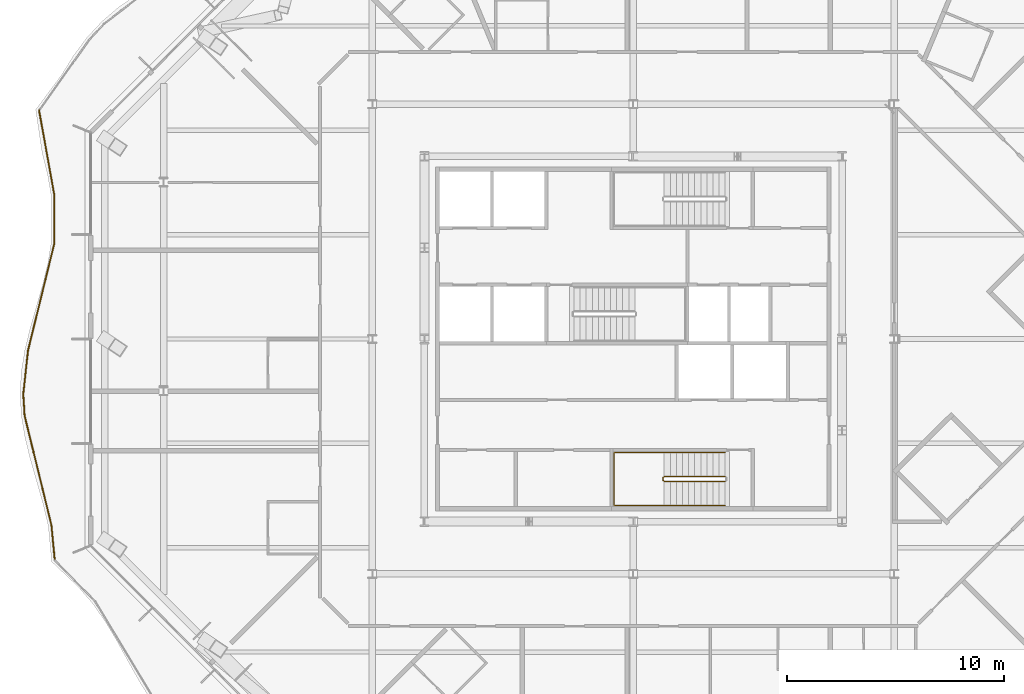
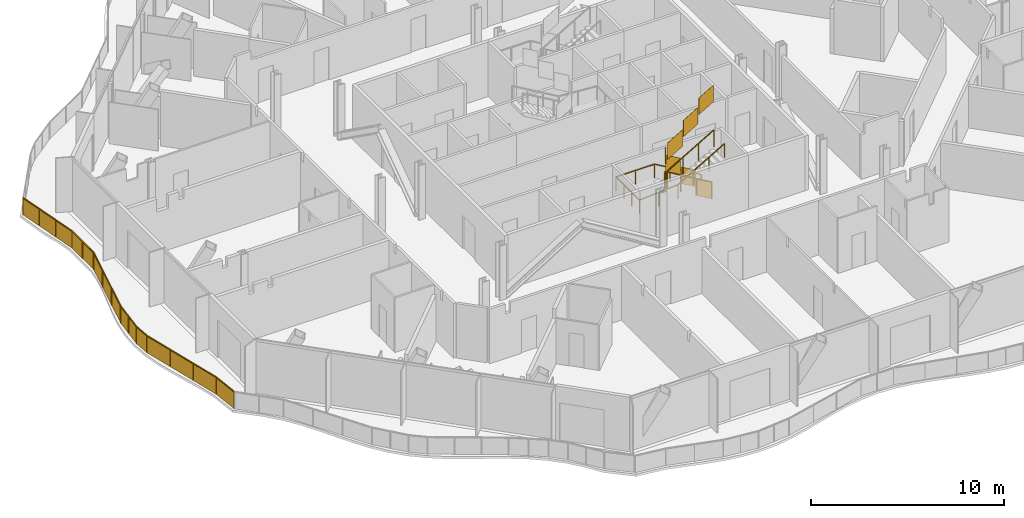
# One storey, part 15 of 19: 3 railings.
"""IFC4 building model written with IfcOpenShell, lengths in metres."""

from ifc_helpers import new_model, si_unit, direction, frame, origin, origin_2d, place, context, subcontext, project, spatial, polyline, rectangle, outline, extrude, material, type_object, element, save


model = new_model("IFC4")

# Units and contexts
model_context = context("Model", 3, precision=1e-05, world=origin(), true_north=direction((0.0, 1.0)))
body_context = subcontext(model_context, "Body", "Model", "MODEL_VIEW")
ifc_project = project(units=[si_unit("LENGTHUNIT", "METRE"), si_unit("AREAUNIT", "SQUARE_METRE"), si_unit("VOLUMEUNIT", "CUBIC_METRE"), si_unit("PLANEANGLEUNIT", "RADIAN"), si_unit("MASSUNIT", "GRAM", prefix="KILO")], contexts=[model_context])

# Site, building, storey
site_placement = place(None, origin())
site = spatial("IfcSite", under=ifc_project, at=site_placement, CompositionType="ELEMENT")
building_placement = place(site_placement, origin())
building = spatial("IfcBuilding", under=site, at=building_placement, Name="Cairn Pilgrim Tower", CompositionType="ELEMENT")
storey_placement = place(building_placement, frame((0.0, 0.0, 186.60009765625)))
storey = spatial("IfcBuildingStorey", under=building, at=storey_placement, Name="L47", CompositionType="ELEMENT", Elevation=186.60009765625)

# Railings
ifc_material_1 = material(Name="Bronze anodised aluminium rail and posts with laminated glass infill", Category="aluminium")
railing_type_1 = type_object("IfcRailingType", Name="BALCONY GUARD 1100", PredefinedType="GUARDRAIL", material=ifc_material_1)
railing_1_placement = place(storey_placement, frame((-20.122314453125, 12.909423828125, 0.0)))
element("IfcRailing", 1, at=railing_1_placement, inside=storey, type_object=railing_type_1, Name="Balcony guard BG-1", PredefinedType="GUARDRAIL", context=body_context, shape_type="SweptSolid", body=[
    extrude(rectangle(XDim=0.050048828125, YDim=0.050048828125, at=origin_2d()), frame((0.0, 0.0, 1.0751953125), z_axis=(0.177171024634, -0.984180079066, 0.0), x_axis=(0.984180079066, 0.177171024634, 0.0)), (0.0, 0.0, 1.0), 3.935546875),
    extrude(rectangle(XDim=0.050048828125, YDim=0.050048828125, at=origin_2d()), frame((0.697265625, -3.873291015625, 1.0751953125), z_axis=(0.0, -1.0, 0.0), x_axis=(1.0, 0.0, 0.0)), (0.0, 0.0, 1.0), 2.25732421875),
    extrude(rectangle(XDim=0.050048828125, YDim=0.050048828125, at=origin_2d()), frame((0.697265625, -6.130615234375, 1.0751953125), z_axis=(-0.238716465374, -0.971089310599, 0.0), x_axis=(0.971089310599, -0.238716465374, 0.0)), (0.0, 0.0, 1.0), 5.056396484375),
    extrude(rectangle(XDim=0.050048828125, YDim=0.050048828125, at=origin_2d()), frame((-0.509765625, -11.040771484375, 1.0751953125), z_axis=(-0.108205296352, -0.994128570076, 0.0), x_axis=(0.994128570076, -0.108205296352, 0.0)), (0.0, 0.0, 1.0), 2.01025390625),
    extrude(rectangle(XDim=0.050048828125, YDim=0.050048828125, at=origin_2d()), frame((-0.727294921875, -13.039306640625, 1.0751953125), z_axis=(0.0599120253, -0.998203661196, 0.0), x_axis=(0.998203661196, 0.0599120253, 0.0)), (0.0, 0.0, 1.0), 0.986083984375),
    extrude(rectangle(XDim=0.050048828125, YDim=0.050048828125, at=origin_2d()), frame((-0.668212890625, -14.023681640625, 1.0751953125), z_axis=(0.237781939428, -0.971318562204, 0.0), x_axis=(0.971318562204, 0.237781939428, 0.0)), (0.0, 0.0, 1.0), 5.199462890625),
    extrude(rectangle(XDim=0.050048828125, YDim=0.050048828125, at=origin_2d()), frame((0.568115234375, -19.073974609375, 1.0751953125), z_axis=(0.093816971007, -0.995589461551, 0.0), x_axis=(0.995589461551, 0.093816971007, 0.0)), (0.0, 0.0, 1.0), 1.55615234375),
    extrude(rectangle(XDim=0.050048828125, YDim=0.050048828125, at=origin_2d()), origin(), (0.0, 0.0, 1.0), 1.050048828125),
    extrude(rectangle(XDim=0.050048828125, YDim=0.050048828125, at=origin_2d()), frame((0.232421875, -1.291015625, 0.0)), (0.0, 0.0, 1.0), 1.050048828125),
    extrude(rectangle(XDim=0.050048828125, YDim=0.050048828125, at=origin_2d()), frame((0.46484375, -2.582275390625, 0.0)), (0.0, 0.0, 1.0), 1.050048828125),
    extrude(rectangle(XDim=0.050048828125, YDim=0.050048828125, at=origin_2d()), frame((0.697265625, -3.873291015625, 0.0)), (0.0, 0.0, 1.0), 1.050048828125),
    extrude(rectangle(XDim=0.050048828125, YDim=0.050048828125, at=origin_2d()), frame((0.697265625, -5.001953125, 0.0)), (0.0, 0.0, 1.0), 1.050048828125),
    extrude(rectangle(XDim=0.050048828125, YDim=0.050048828125, at=origin_2d()), frame((0.697265625, -6.130615234375, 0.0)), (0.0, 0.0, 1.0), 1.050048828125),
    extrude(rectangle(XDim=0.050048828125, YDim=0.050048828125, at=origin_2d()), frame((0.294921875, -7.767333984375, 0.0)), (0.0, 0.0, 1.0), 1.050048828125),
    extrude(rectangle(XDim=0.050048828125, YDim=0.050048828125, at=origin_2d()), frame((-0.107421875, -9.404052734375, 0.0)), (0.0, 0.0, 1.0), 1.050048828125),
    extrude(rectangle(XDim=0.050048828125, YDim=0.050048828125, at=origin_2d()), frame((-0.509765625, -11.040771484375, 0.0)), (0.0, 0.0, 1.0), 1.050048828125),
    extrude(rectangle(XDim=0.050048828125, YDim=0.050048828125, at=origin_2d()), frame((-0.61865234375, -12.0400390625, 0.0)), (0.0, 0.0, 1.0), 1.050048828125),
    extrude(rectangle(XDim=0.050048828125, YDim=0.050048828125, at=origin_2d()), frame((-0.727294921875, -13.039306640625, 0.0)), (0.0, 0.0, 1.0), 1.050048828125),
    extrude(rectangle(XDim=0.050048828125, YDim=0.050048828125, at=origin_2d()), frame((-0.668212890625, -14.023681640625, 0.0)), (0.0, 0.0, 1.0), 1.050048828125),
    extrude(rectangle(XDim=0.050048828125, YDim=0.050048828125, at=origin_2d()), frame((-0.256103515625, -15.70703125, 0.0)), (0.0, 0.0, 1.0), 1.050048828125),
    extrude(rectangle(XDim=0.050048828125, YDim=0.050048828125, at=origin_2d()), frame((0.156005859375, -17.390625, 0.0)), (0.0, 0.0, 1.0), 1.050048828125),
    extrude(rectangle(XDim=0.050048828125, YDim=0.050048828125, at=origin_2d()), frame((0.568115234375, -19.073974609375, 0.0)), (0.0, 0.0, 1.0), 1.050048828125),
    extrude(rectangle(XDim=0.050048828125, YDim=0.050048828125, at=origin_2d()), frame((0.714111328125, -20.623291015625, 0.0)), (0.0, 0.0, 1.0), 1.050048828125),
    extrude(outline(polyline([(0.02490234375, 0.0), (1.286865234375, 0.0), (1.286865234375, 1.050048828125), (0.02490234375, 1.050048828125), (0.02490234375, 0.0)])), frame((0.005859375, 0.0009765625, 0.0), z_axis=(-0.984180079066, -0.177171024634, 0.0), x_axis=(0.177171024634, -0.984180079066, 0.0)), (0.0, 0.0, 1.0), 0.011962890625),
    extrude(outline(polyline([(0.02490234375, 0.0), (1.286865234375, 0.0), (1.286865234375, 1.050048828125), (0.02490234375, 1.050048828125), (0.02490234375, 0.0)])), frame((0.23828125, -1.2900390625, 0.0), z_axis=(-0.984180079066, -0.177171024634, 0.0), x_axis=(0.177171024634, -0.984180079066, 0.0)), (0.0, 0.0, 1.0), 0.011962890625),
    extrude(outline(polyline([(0.02490234375, 0.0), (1.286865234375, 0.0), (1.286865234375, 1.050048828125), (0.02490234375, 1.050048828125), (0.02490234375, 0.0)])), frame((0.470703125, -2.5810546875, 0.0), z_axis=(-0.984180079066, -0.177171024634, 0.0), x_axis=(0.177171024634, -0.984180079066, 0.0)), (0.0, 0.0, 1.0), 0.011962890625),
    extrude(outline(polyline([(0.02490234375, 0.0), (1.103515625, 0.0), (1.103515625, 1.050048828125), (0.02490234375, 1.050048828125), (0.02490234375, 0.0)])), frame((0.703125, -3.873291015625, 0.0), z_axis=(-1.0, 0.0, 0.0), x_axis=(0.0, -1.0, 0.0)), (0.0, 0.0, 1.0), 0.011962890625),
    extrude(outline(polyline([(0.02490234375, 0.0), (1.103515625, 0.0), (1.103515625, 1.050048828125), (0.02490234375, 1.050048828125), (0.02490234375, 0.0)])), frame((0.703125, -5.001953125, 0.0), z_axis=(-1.0, 0.0, 0.0), x_axis=(0.0, -1.0, 0.0)), (0.0, 0.0, 1.0), 0.011962890625),
    extrude(outline(polyline([(0.02490234375, 0.0), (1.660400390625, 0.0), (1.660400390625, 1.050048828125), (0.02490234375, 1.050048828125), (0.02490234375, 0.0)])), frame((0.703125, -6.132080078125, 0.0), z_axis=(-0.971089310599, 0.238716465374, 0.0), x_axis=(-0.238716465374, -0.971089310599, 0.0)), (0.0, 0.0, 1.0), 0.011962890625),
    extrude(outline(polyline([(0.02490234375, 0.0), (1.660400390625, 0.0), (1.660400390625, 1.050048828125), (0.02490234375, 1.050048828125), (0.02490234375, 0.0)])), frame((0.30078125, -7.768798828125, 0.0), z_axis=(-0.971089310599, 0.238716465374, 0.0), x_axis=(-0.238716465374, -0.971089310599, 0.0)), (0.0, 0.0, 1.0), 0.011962890625),
    extrude(outline(polyline([(0.02490234375, 0.0), (1.660400390625, 0.0), (1.660400390625, 1.050048828125), (0.02490234375, 1.050048828125), (0.02490234375, 0.0)])), frame((-0.1015625, -9.405517578125, 0.0), z_axis=(-0.971089310599, 0.238716465374, 0.0), x_axis=(-0.238716465374, -0.971089310599, 0.0)), (0.0, 0.0, 1.0), 0.011962890625),
    extrude(outline(polyline([(0.02490234375, 0.0), (0.980224609375, 0.0), (0.980224609375, 1.050048828125), (0.02490234375, 1.050048828125), (0.02490234375, 0.0)])), frame((-0.50390625, -11.04150390625, 0.0), z_axis=(-0.994128570076, 0.108205296352, 0.0), x_axis=(-0.108205296352, -0.994128570076, 0.0)), (0.0, 0.0, 1.0), 0.011962890625),
    extrude(outline(polyline([(0.02490234375, 0.0), (0.980224609375, 0.0), (0.980224609375, 1.050048828125), (0.02490234375, 1.050048828125), (0.02490234375, 0.0)])), frame((-0.612548828125, -12.040771484375, 0.0), z_axis=(-0.994128570076, 0.108205296352, 0.0), x_axis=(-0.108205296352, -0.994128570076, 0.0)), (0.0, 0.0, 1.0), 0.011962890625),
    extrude(outline(polyline([(0.02490234375, 0.0), (0.961181640625, 0.0), (0.961181640625, 1.050048828125), (0.02490234375, 1.050048828125), (0.02490234375, 0.0)])), frame((-0.721435546875, -13.0390625, 0.0), z_axis=(-0.998203661196, -0.0599120253, 0.0), x_axis=(0.0599120253, -0.998203661196, 0.0)), (0.0, 0.0, 1.0), 0.011962890625),
    extrude(outline(polyline([(0.02490234375, 0.0), (1.7080078125, 0.0), (1.7080078125, 1.050048828125), (0.02490234375, 1.050048828125), (0.02490234375, 0.0)])), frame((-0.662353515625, -14.022216796875, 0.0), z_axis=(-0.971318562204, -0.237781939428, 0.0), x_axis=(0.237781939428, -0.971318562204, 0.0)), (0.0, 0.0, 1.0), 0.011962890625),
    extrude(outline(polyline([(0.02490234375, 0.0), (1.7080078125, 0.0), (1.7080078125, 1.050048828125), (0.02490234375, 1.050048828125), (0.02490234375, 0.0)])), frame((-0.250244140625, -15.705810546875, 0.0), z_axis=(-0.971318562204, -0.237781939428, 0.0), x_axis=(0.237781939428, -0.971318562204, 0.0)), (0.0, 0.0, 1.0), 0.011962890625),
    extrude(outline(polyline([(0.02490234375, 0.0), (1.7080078125, 0.0), (1.7080078125, 1.050048828125), (0.02490234375, 1.050048828125), (0.02490234375, 0.0)])), frame((0.161865234375, -17.38916015625, 0.0), z_axis=(-0.971318562204, -0.237781939428, 0.0), x_axis=(0.237781939428, -0.971318562204, 0.0)), (0.0, 0.0, 1.0), 0.011962890625),
    extrude(outline(polyline([(0.02490234375, 0.0), (1.53125, 0.0), (1.53125, 1.050048828125), (0.02490234375, 1.050048828125), (0.02490234375, 0.0)])), frame((0.573974609375, -19.073486328125, 0.0), z_axis=(-0.995589461551, -0.093816971007, 0.0), x_axis=(0.093816971007, -0.995589461551, 0.0)), (0.0, 0.0, 1.0), 0.011962890625),
])
ifc_material_2 = material(Name="Painted steel", Category="steel")
railing_type_2 = type_object("IfcRailingType", Name="STAIR GUARD 1100", PredefinedType="GUARDRAIL", material=ifc_material_2)
railing_2_placement = place(storey_placement, frame((11.425048828125, -3.925048828125, 0.16357421875)))
element("IfcRailing", 2, at=railing_2_placement, inside=storey, type_object=railing_type_2, Name="L47 ST-A stair guard 1", PredefinedType="GUARDRAIL", context=body_context, shape_type="SweptSolid", body=[
    extrude(rectangle(XDim=0.048095703125, YDim=0.048095703125, at=origin_2d()), frame((0.0, 0.0, 1.076171875), z_axis=(-0.863393664356, 0.0, 0.504530851732), x_axis=(0.0, -1.0, 0.0)), (0.0, 0.0, 1.0), 3.2431640625),
    extrude(rectangle(XDim=0.048095703125, YDim=0.048095703125, at=origin_2d()), frame((-2.800048828125, 0.0, 2.71240234375), z_axis=(-0.707106781187, -0.707106781187, 0.0), x_axis=(0.707106781187, -0.707106781187, 0.0)), (0.0, 0.0, 1.0), 0.07080078125),
    extrude(rectangle(XDim=0.048095703125, YDim=0.048095703125, at=origin_2d()), frame((-2.85009765625, -0.050048828125, 2.71240234375), z_axis=(0.0, -1.0, 0.0), x_axis=(1.0, 0.0, 0.0)), (0.0, 0.0, 1.0), 0.125),
    extrude(rectangle(XDim=0.048095703125, YDim=0.048095703125, at=origin_2d()), frame((-2.85009765625, -0.175048828125, 2.71240234375), z_axis=(0.280563532951, -0.279194930351, 0.91833234444), x_axis=(0.705375805398, 0.708833529934, 0.0)), (0.0, 0.0, 1.0), 0.178466796875),
    extrude(rectangle(XDim=0.048095703125, YDim=0.048095703125, at=origin_2d()), frame((-2.800048828125, -0.224853515625, 2.8759765625), z_axis=(0.863393664356, 0.0, 0.504530851732), x_axis=(0.0, 1.0, 0.0)), (0.0, 0.0, 1.0), 3.2431640625),
    extrude(rectangle(XDim=0.0419921875, YDim=0.0419921875, at=origin_2d()), origin(), (0.0, 0.0, 1.0), 1.052001953125),
    extrude(rectangle(XDim=0.0419921875, YDim=0.0419921875, at=origin_2d()), frame((-0.933349609375, 0.0, 0.54541015625)), (0.0, 0.0, 1.0), 1.052001953125),
    extrude(rectangle(XDim=0.0419921875, YDim=0.0419921875, at=origin_2d()), frame((-1.86669921875, 0.0, 1.0908203125)), (0.0, 0.0, 1.0), 1.052001953125),
    extrude(rectangle(XDim=0.0419921875, YDim=0.0419921875, at=origin_2d()), frame((-2.800048828125, 0.0, 1.63623046875)), (0.0, 0.0, 1.0), 1.052001953125),
    extrude(rectangle(XDim=0.0419921875, YDim=0.0419921875, at=origin_2d()), frame((-2.85009765625, -0.050048828125, 1.63623046875)), (0.0, 0.0, 1.0), 1.052001953125),
    extrude(rectangle(XDim=0.0419921875, YDim=0.0419921875, at=origin_2d()), frame((-2.85009765625, -0.175048828125, 1.63623046875)), (0.0, 0.0, 1.0), 1.052001953125),
    extrude(rectangle(XDim=0.0419921875, YDim=0.0419921875, at=origin_2d()), frame((-2.800048828125, -0.224853515625, 1.800048828125)), (0.0, 0.0, 1.0), 1.052001953125),
    extrude(rectangle(XDim=0.0419921875, YDim=0.0419921875, at=origin_2d()), frame((-1.86669921875, -0.224853515625, 2.345458984375)), (0.0, 0.0, 1.0), 1.052001953125),
    extrude(rectangle(XDim=0.0419921875, YDim=0.0419921875, at=origin_2d()), frame((-0.933349609375, -0.224853515625, 2.890869140625)), (0.0, 0.0, 1.0), 1.052001953125),
    extrude(rectangle(XDim=0.0419921875, YDim=0.0419921875, at=origin_2d()), frame((0.0, -0.224853515625, 3.436279296875)), (0.0, 0.0, 1.0), 1.052001953125),
    extrude(outline(polyline([(0.02099609375, 0.01220703125), (0.912353515625, 0.533203125), (0.912353515625, 1.585205078125), (0.02099609375, 1.064208984375), (0.02099609375, 0.01220703125)])), frame((0.0, -0.005859375, 0.0), z_axis=(0.0, 1.0, 0.0), x_axis=(-1.0, 0.0, 0.0)), (0.0, 0.0, 1.0), 0.011962890625),
    extrude(outline(polyline([(0.02099609375, 0.5576171875), (0.912353515625, 1.07861328125), (0.912353515625, 2.130615234375), (0.02099609375, 1.609619140625), (0.02099609375, 0.5576171875)])), frame((-0.933349609375, -0.005859375, 0.54541015625), z_axis=(0.0, 1.0, 0.0), x_axis=(-1.0, 0.0, 0.0)), (0.0, 0.0, 1.0), 0.011962890625),
    extrude(outline(polyline([(0.02099609375, 1.10302734375), (0.912353515625, 1.6240234375), (0.912353515625, 2.676025390625), (0.02099609375, 2.155029296875), (0.02099609375, 1.10302734375)])), frame((-1.86669921875, -0.005859375, 1.0908203125), z_axis=(0.0, 1.0, 0.0), x_axis=(-1.0, 0.0, 0.0)), (0.0, 0.0, 1.0), 0.011962890625),
    extrude(outline(polyline([(0.02099609375, 1.63623046875), (0.10400390625, 1.63623046875), (0.10400390625, 2.688232421875), (0.02099609375, 2.688232421875), (0.02099609375, 1.63623046875)])), frame((-2.84423828125, -0.050048828125, 1.63623046875), z_axis=(-1.0, 0.0, 0.0), x_axis=(0.0, -1.0, 0.0)), (0.0, 0.0, 1.0), 0.011962890625),
    extrude(outline(polyline([(0.02099609375, 1.812255859375), (0.912353515625, 2.333251953125), (0.912353515625, 3.38525390625), (0.02099609375, 2.8642578125), (0.02099609375, 1.812255859375)])), frame((-2.800048828125, -0.21875, 1.800048828125), z_axis=(0.0, -1.0, 0.0), x_axis=(1.0, 0.0, 0.0)), (0.0, 0.0, 1.0), 0.011962890625),
    extrude(outline(polyline([(0.02099609375, 2.357666015625), (0.912353515625, 2.878662109375), (0.912353515625, 3.9306640625), (0.02099609375, 3.40966796875), (0.02099609375, 2.357666015625)])), frame((-1.86669921875, -0.21875, 2.345458984375), z_axis=(0.0, -1.0, 0.0), x_axis=(1.0, 0.0, 0.0)), (0.0, 0.0, 1.0), 0.011962890625),
    extrude(outline(polyline([(0.02099609375, 2.903076171875), (0.912353515625, 3.424072265625), (0.912353515625, 4.47607421875), (0.02099609375, 3.955078125), (0.02099609375, 2.903076171875)])), frame((-0.933349609375, -0.21875, 2.890869140625), z_axis=(0.0, -1.0, 0.0), x_axis=(1.0, 0.0, 0.0)), (0.0, 0.0, 1.0), 0.011962890625),
])
railing_type_3 = type_object("IfcRailingType", Name="STAIR HANDRAIL 900", PredefinedType="HANDRAIL", material=ifc_material_2)
railing_3_placement = place(storey_placement, frame((11.425048828125, -2.824951171875, 0.16357421875)))
element("IfcRailing", 3, at=railing_3_placement, inside=storey, type_object=railing_type_3, Name="L47 ST-A stair handrail 1", PredefinedType="HANDRAIL", context=body_context, shape_type="SweptSolid", body=[
    extrude(rectangle(XDim=0.048095703125, YDim=0.048095703125, at=origin_2d()), frame((0.0, 0.0, 0.8759765625), z_axis=(-0.863393664356, 0.0, 0.504530851732), x_axis=(0.0, -1.0, 0.0)), (0.0, 0.0, 1.0), 3.2431640625),
    extrude(rectangle(XDim=0.048095703125, YDim=0.048095703125, at=origin_2d()), frame((-2.800048828125, 0.0, 2.51220703125), z_axis=(-1.0, 0.0, 0.0), x_axis=(0.0, -1.0, 0.0)), (0.0, 0.0, 1.0), 2.300048828125),
    extrude(rectangle(XDim=0.048095703125, YDim=0.048095703125, at=origin_2d()), frame((-5.10009765625, 0.0, 2.51220703125), z_axis=(0.0, -1.0, 0.0), x_axis=(1.0, 0.0, 0.0)), (0.0, 0.0, 1.0), 2.425048828125),
    extrude(rectangle(XDim=0.048095703125, YDim=0.048095703125, at=origin_2d()), frame((-5.10009765625, -2.425048828125, 2.51220703125), z_axis=(0.99747319029, 0.0, 0.071043892441), x_axis=(0.0, 1.0, 0.0)), (0.0, 0.0, 1.0), 2.305908203125),
    extrude(rectangle(XDim=0.048095703125, YDim=0.048095703125, at=origin_2d()), frame((-2.800048828125, -2.425048828125, 2.67578125), z_axis=(0.863393664356, 0.0, 0.504530851732), x_axis=(0.0, 1.0, 0.0)), (0.0, 0.0, 1.0), 3.2431640625),
    extrude(rectangle(XDim=0.0419921875, YDim=0.0419921875, at=origin_2d()), origin(), (0.0, 0.0, 1.0), 0.851806640625),
    extrude(rectangle(XDim=0.0419921875, YDim=0.0419921875, at=origin_2d()), frame((-0.933349609375, 0.0, 0.54541015625)), (0.0, 0.0, 1.0), 0.851806640625),
    extrude(rectangle(XDim=0.0419921875, YDim=0.0419921875, at=origin_2d()), frame((-1.86669921875, 0.0, 1.0908203125)), (0.0, 0.0, 1.0), 0.851806640625),
    extrude(rectangle(XDim=0.0419921875, YDim=0.0419921875, at=origin_2d()), frame((-2.800048828125, 0.0, 1.63623046875)), (0.0, 0.0, 1.0), 0.851806640625),
    extrude(rectangle(XDim=0.0419921875, YDim=0.0419921875, at=origin_2d()), frame((-3.9501953125, 0.0, 1.63623046875)), (0.0, 0.0, 1.0), 0.851806640625),
    extrude(rectangle(XDim=0.0419921875, YDim=0.0419921875, at=origin_2d()), frame((-5.10009765625, 0.0, 1.63623046875)), (0.0, 0.0, 1.0), 0.851806640625),
    extrude(rectangle(XDim=0.0419921875, YDim=0.0419921875, at=origin_2d()), frame((-5.10009765625, -0.808349609375, 1.63623046875)), (0.0, 0.0, 1.0), 0.851806640625),
    extrude(rectangle(XDim=0.0419921875, YDim=0.0419921875, at=origin_2d()), frame((-5.10009765625, -1.61669921875, 1.63623046875)), (0.0, 0.0, 1.0), 0.851806640625),
    extrude(rectangle(XDim=0.0419921875, YDim=0.0419921875, at=origin_2d()), frame((-5.10009765625, -2.425048828125, 1.63623046875)), (0.0, 0.0, 1.0), 0.851806640625),
    extrude(rectangle(XDim=0.0419921875, YDim=0.0419921875, at=origin_2d()), frame((-3.9501953125, -2.425048828125, 1.71826171875)), (0.0, 0.0, 1.0), 0.851806640625),
    extrude(rectangle(XDim=0.0419921875, YDim=0.0419921875, at=origin_2d()), frame((-2.800048828125, -2.425048828125, 1.800048828125)), (0.0, 0.0, 1.0), 0.851806640625),
    extrude(rectangle(XDim=0.0419921875, YDim=0.0419921875, at=origin_2d()), frame((-1.86669921875, -2.425048828125, 2.345458984375)), (0.0, 0.0, 1.0), 0.851806640625),
    extrude(rectangle(XDim=0.0419921875, YDim=0.0419921875, at=origin_2d()), frame((-0.933349609375, -2.425048828125, 2.890869140625)), (0.0, 0.0, 1.0), 0.851806640625),
    extrude(rectangle(XDim=0.0419921875, YDim=0.0419921875, at=origin_2d()), frame((0.0, -2.425048828125, 3.436279296875)), (0.0, 0.0, 1.0), 0.851806640625),
])

save(model, "model.ifc")
